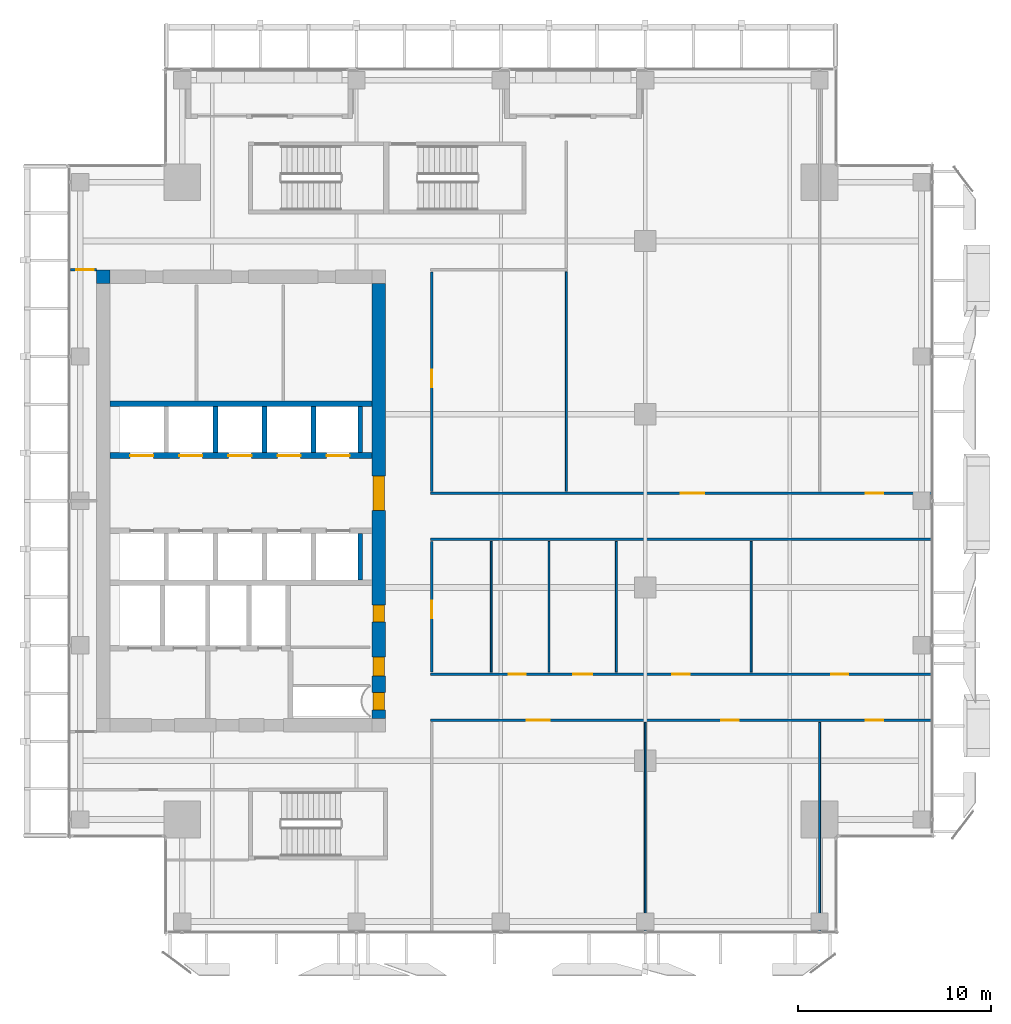
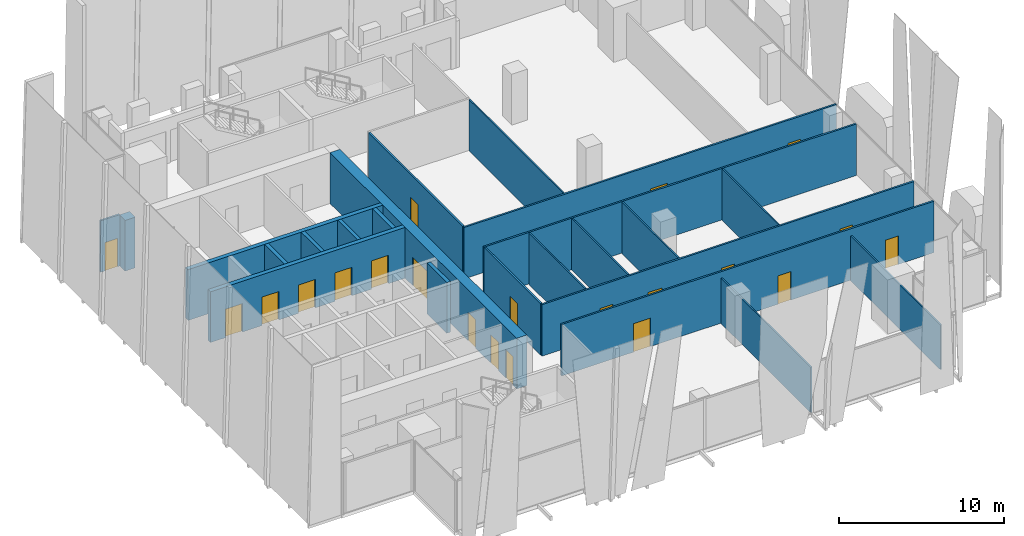
# One storey, part 27 of 33: 23 walls, 21 doors, 21 openings.
"""IFC4 building model written with IfcOpenShell, lengths in metres."""

from ifc_helpers import new_model, si_unit, direction, frame, frame_2d, origin, place, context, subcontext, project, spatial, rectangle, extrude, source, transform, mapped, material, layer, layer_set, type_object, element, fill, save


model = new_model("IFC4")

# Units and contexts
model_context = context("Model", 3, precision=1e-05, world=origin(), true_north=direction((0.0, 1.0)))
body_context = subcontext(model_context, "Body", "Model", "MODEL_VIEW")
ifc_project = project(units=[si_unit("LENGTHUNIT", "METRE"), si_unit("AREAUNIT", "SQUARE_METRE"), si_unit("VOLUMEUNIT", "CUBIC_METRE"), si_unit("PLANEANGLEUNIT", "RADIAN"), si_unit("MASSUNIT", "GRAM", prefix="KILO")], contexts=[model_context])

# Site, building, storey
site_placement = place(None, origin())
site = spatial("IfcSite", under=ifc_project, at=site_placement, CompositionType="ELEMENT")
building_placement = place(site_placement, origin())
building = spatial("IfcBuilding", under=site, at=building_placement, Name="Khomas Fold Tower", CompositionType="ELEMENT")
storey_placement = place(building_placement, frame((0.0, 0.0, 234.199951171875)))
storey = spatial("IfcBuildingStorey", under=building, at=storey_placement, Name="L52", CompositionType="ELEMENT", Elevation=234.199951171875)

# Walls
ifc_material_1 = material(Name="Concrete C50/60", Category="concrete")
ifc_layer_1 = layer(ifc_material_1, 0.25)
ifc_layer_set_1 = layer_set([ifc_layer_1], Name="Concrete C50/60")
wall_type_1 = type_object("IfcWallType", Name="Shaft wall 250", PredefinedType="STANDARD", material=ifc_layer_set_1)
shared_shape_1 = source(origin(), body_context, "Body", "SweptSolid", [
    extrude(rectangle(XDim=2.39990234375, YDim=0.25, at=frame_2d((1.199951171875, 0.0))), origin(), (0.0, 0.0, 1.0), 3.75),
])
for number, where, z_axis, x_axis, name in (
    (1, (17.27490234375, 29.5, 0.0), (0.0, 0.0, 1.0), (0.0, 1.0, 0.0), "Core wall SW-HRN-MR-P1"),
    (2, (19.699951171875, 29.5, 0.0), (0.0, 0.0, 1.0), (0.0, 1.0, 0.0), "Core wall SW-HRN-MR-PE"),
    (3, (12.175048828125, 29.5, 0.0), (0.0, 0.0, 1.0), (0.0, 1.0, 0.0), "Core wall SW-HRN-P2"),
    (4, (14.72509765625, 29.5, 0.0), (0.0, 0.0, 1.0), (0.0, 1.0, 0.0), "Core wall SW-HRN-PE"),
):
    element("IfcWall", number, at=place(storey_placement, frame(where, z_axis=z_axis, x_axis=x_axis)), inside=storey, type_object=wall_type_1, Name=name, PredefinedType="STANDARD", context=body_context, shape_type="MappedRepresentation", body=[
        mapped(shared_shape_1, transform((0.0, 0.0, 0.0))),
    ])
shared_shape_2 = source(origin(), body_context, "Body", "SweptSolid", [
    extrude(rectangle(XDim=2.400146484375, YDim=0.25, at=frame_2d((1.2001953125, 0.0))), origin(), (0.0, 0.0, 1.0), 3.75),
])
wall_1_placement = place(storey_placement, frame((19.699951171875, 22.89990234375, 0.0), z_axis=(0.0, 0.0, 1.0), x_axis=(0.0, 1.0, 0.0)))
element("IfcWall", 5, at=wall_1_placement, inside=storey, type_object=wall_type_1, Name="Core wall SW-HRS-MR-PE", PredefinedType="STANDARD", context=body_context, shape_type="MappedRepresentation", body=[
    mapped(shared_shape_2, transform((0.0, 0.0, 0.0))),
])
ifc_material_2 = material(Name="Concrete C60/75", Category="concrete")
ifc_layer_2 = layer(ifc_material_2, 0.699951171875)
ifc_layer_set_2 = layer_set([ifc_layer_2], Name="Concrete C60/75")
wall_type_2 = type_object("IfcWallType", Name="Core corner wall 700", PredefinedType="SHEAR", material=ifc_layer_set_2)
shared_shape_3 = source(origin(), body_context, "Body", "SweptSolid", [
    extrude(rectangle(XDim=0.699951171875, YDim=0.699951171875, at=frame_2d((0.35009765625, 0.0))), origin(), (0.0, 0.0, 1.0), 3.75),
])
wall_2_placement = place(storey_placement, frame((6.0, 38.64990234375, 0.0), z_axis=(0.0, 0.0, 1.0), x_axis=(1.0, 0.0, 0.0)))
element("IfcWall", 6, at=wall_2_placement, inside=storey, type_object=wall_type_2, Name="Core wall CW-U-NW-L49", PredefinedType="SHEAR", context=body_context, shape_type="MappedRepresentation", body=[
    mapped(shared_shape_3, transform((0.0, 0.0, 0.0))),
])

# Wall, openings, doors
ifc_material_3 = material(Name="Concrete C60/75", Category="concrete")
ifc_layer_3 = layer(ifc_material_3, 0.699951171875)
ifc_layer_set_3 = layer_set([ifc_layer_3], Name="Concrete C60/75")
wall_type_3 = type_object("IfcWallType", Name="Core wall 700", PredefinedType="SHEAR", material=ifc_layer_set_3)
shared_shape_4 = source(origin(), body_context, "Body", "SweptSolid", [
    extrude(rectangle(XDim=22.60009765625, YDim=0.699951171875, at=frame_2d((11.300048828125, 0.0))), origin(), (0.0, 0.0, 1.0), 3.75),
])
wall_3_placement = place(storey_placement, frame((20.64990234375, 15.699951171875, 0.0), z_axis=(0.0, 0.0, 1.0), x_axis=(0.0, 1.0, 0.0)))
wall_3 = element("IfcWall", 7, at=wall_3_placement, inside=storey, type_object=wall_type_3, Name="Core wall CW-U-E-L49", PredefinedType="SHEAR", context=body_context, shape_type="MappedRepresentation", body=[
    mapped(shared_shape_4, transform((0.0, 0.0, 0.0))),
])
shared_shape_5 = source(origin(), body_context, "Body", "SweptSolid", [
    extrude(rectangle(XDim=1.800048828125, YDim=2.10009765625, at=frame_2d((0.89990234375, 1.050048828125))), frame((0.0, 0.35986328125, 0.0), z_axis=(0.0, -1.0, 0.0), x_axis=(1.0, 0.0, 0.0)), (0.0, 0.0, 1.0), 0.719970703125),
])
opening_1_placement = place(wall_3_placement, frame((10.800048828125, 0.0, 0.0)))
opening_1 = element("IfcOpeningElement", 8, at=opening_1_placement, cuts=wall_3, Name="Opening 0015", PredefinedType="OPENING", context=body_context, shape_type="MappedRepresentation", body=[
    mapped(shared_shape_5, transform((0.0, 0.0, 0.0))),
])
shared_shape_6 = source(origin(), body_context, "Body", "SweptSolid", [
    extrude(rectangle(XDim=0.89990234375, YDim=2.10009765625, at=frame_2d((0.449951171875, 1.050048828125))), frame((0.0, 0.35986328125, 0.0), z_axis=(0.0, -1.0, 0.0), x_axis=(1.0, 0.0, 0.0)), (0.0, 0.0, 1.0), 0.719970703125),
])
opening_2_placement = place(wall_3_placement, frame((0.449951171875, 0.0, 0.0)))
opening_2 = element("IfcOpeningElement", 9, at=opening_2_placement, cuts=wall_3, Name="Opening 0003", PredefinedType="OPENING", context=body_context, shape_type="MappedRepresentation", body=[
    mapped(shared_shape_6, transform((0.0, 0.0, 0.0))),
])
shared_shape_7 = source(origin(), body_context, "Body", "SweptSolid", [
    extrude(rectangle(XDim=1.0, YDim=2.10009765625, at=frame_2d((0.5, 1.050048828125))), frame((0.0, 0.35986328125, 0.0), z_axis=(0.0, -1.0, 0.0), x_axis=(1.0, 0.0, 0.0)), (0.0, 0.0, 1.0), 0.719970703125),
])
opening_3_placement = place(wall_3_placement, frame((2.199951171875, 0.0, 0.0)))
opening_3 = element("IfcOpeningElement", 10, at=opening_3_placement, cuts=wall_3, Name="Opening 0006", PredefinedType="OPENING", context=body_context, shape_type="MappedRepresentation", body=[
    mapped(shared_shape_7, transform((0.0, 0.0, 0.0))),
])
opening_4_placement = place(wall_3_placement, frame((5.0, 0.0, 0.0)))
opening_4 = element("IfcOpeningElement", 11, at=opening_4_placement, cuts=wall_3, Name="Opening 0008", PredefinedType="OPENING", context=body_context, shape_type="MappedRepresentation", body=[
    mapped(shared_shape_6, transform((0.0, 0.0, 0.0))),
])
ifc_material_4 = material(Name="Steel door leaf", Category="steel")
door_type_1 = type_object("IfcDoorType", Name="Lobby door 1800x2100", OperationType="DOUBLE_DOOR_SINGLE_SWING", PredefinedType="DOOR", material=ifc_material_4)
shared_shape_8 = source(origin(), body_context, "Body", "SweptSolid", [
    extrude(rectangle(XDim=1.800048828125, YDim=2.10009765625, at=frame_2d((0.89990234375, 1.050048828125))), frame((0.0, 0.2998046875, 0.0), z_axis=(0.0, -1.0, 0.0), x_axis=(1.0, 0.0, 0.0)), (0.0, 0.0, 1.0), 0.599853515625),
])
door_1_placement = place(opening_1_placement, origin())
door_1 = element("IfcDoor", 12, at=door_1_placement, inside=storey, type_object=door_type_1, Name="Lobby door", OperationType="DOUBLE_DOOR_SINGLE_SWING", OverallHeight=2.10009765625, OverallWidth=1.800048828125, PredefinedType="DOOR", context=body_context, shape_type="MappedRepresentation", body=[
    mapped(shared_shape_8, transform((0.0, 0.0, 0.0))),
])
fill(opening_1, door_1)
ifc_material_5 = material(Name="Steel door leaf", Category="steel")
door_type_2 = type_object("IfcDoorType", Name="Plant room door 900x2100 right-hand", OperationType="SINGLE_SWING_RIGHT", PredefinedType="DOOR", material=ifc_material_5)
shared_shape_9 = source(origin(), body_context, "Body", "SweptSolid", [
    extrude(rectangle(XDim=0.89990234375, YDim=2.10009765625, at=frame_2d((0.449951171875, 1.050048828125))), frame((0.0, 0.2998046875, 0.0), z_axis=(0.0, -1.0, 0.0), x_axis=(1.0, 0.0, 0.0)), (0.0, 0.0, 1.0), 0.599853515625),
])
door_2_placement = place(opening_2_placement, origin())
door_2 = element("IfcDoor", 13, at=door_2_placement, inside=storey, type_object=door_type_2, Name="Plant room door", OperationType="SINGLE_SWING_RIGHT", OverallHeight=2.10009765625, OverallWidth=0.89990234375, PredefinedType="DOOR", context=body_context, shape_type="MappedRepresentation", body=[
    mapped(shared_shape_9, transform((0.0, 0.0, 0.0))),
])
fill(opening_2, door_2)
ifc_material_6 = material(Name="Timber door leaf", Category="wood")
door_type_3 = type_object("IfcDoorType", Name="Door 900x2100 right-hand", OperationType="SINGLE_SWING_RIGHT", PredefinedType="DOOR", material=ifc_material_6)
door_3_placement = place(opening_4_placement, origin())
door_3 = element("IfcDoor", 14, at=door_3_placement, inside=storey, type_object=door_type_3, Name="Door", OperationType="SINGLE_SWING_RIGHT", OverallHeight=2.10009765625, OverallWidth=0.89990234375, PredefinedType="DOOR", context=body_context, shape_type="MappedRepresentation", body=[
    mapped(shared_shape_9, transform((0.0, 0.0, 0.0))),
])
fill(opening_4, door_3)
ifc_material_7 = material(Name="Timber door leaf", Category="wood")
door_type_4 = type_object("IfcDoorType", Name="WC door 1000x2100 right-hand", OperationType="SINGLE_SWING_RIGHT", PredefinedType="DOOR", material=ifc_material_7)
shared_shape_10 = source(origin(), body_context, "Body", "SweptSolid", [
    extrude(rectangle(XDim=1.0, YDim=2.10009765625, at=frame_2d((0.5, 1.050048828125))), frame((0.0, 0.2998046875, 0.0), z_axis=(0.0, -1.0, 0.0), x_axis=(1.0, 0.0, 0.0)), (0.0, 0.0, 1.0), 0.599853515625),
])
door_4_placement = place(opening_3_placement, origin())
door_4 = element("IfcDoor", 15, at=door_4_placement, inside=storey, type_object=door_type_4, Name="WC door", OperationType="SINGLE_SWING_RIGHT", OverallHeight=2.10009765625, OverallWidth=1.0, PredefinedType="DOOR", context=body_context, shape_type="MappedRepresentation", body=[
    mapped(shared_shape_10, transform((0.0, 0.0, 0.0))),
])
fill(opening_3, door_4)

# Wall
ifc_material_8 = material(Name="Concrete C50/60", Category="concrete")
ifc_layer_4 = layer(ifc_material_8, 0.300048828125)
ifc_layer_set_4 = layer_set([ifc_layer_4], Name="Concrete C50/60")
wall_type_4 = type_object("IfcWallType", Name="Shaft wall 300", PredefinedType="STANDARD", material=ifc_layer_set_4)
shared_shape_11 = source(origin(), body_context, "Body", "SweptSolid", [
    extrude(rectangle(XDim=13.60009765625, YDim=0.300048828125, at=frame_2d((6.800048828125, 0.0))), origin(), (0.0, 0.0, 1.0), 3.75),
])
wall_4_placement = place(storey_placement, frame((6.699951171875, 32.050048828125, 0.0), z_axis=(0.0, 0.0, 1.0), x_axis=(1.0, 0.0, 0.0)))
element("IfcWall", 16, at=wall_4_placement, inside=storey, type_object=wall_type_4, Name="Core wall SW-HRN-B", PredefinedType="STANDARD", context=body_context, shape_type="MappedRepresentation", body=[
    mapped(shared_shape_11, transform((0.0, 0.0, 0.0))),
])

# Wall, openings, doors
wall_5_placement = place(storey_placement, frame((6.699951171875, 29.35009765625, 0.0), z_axis=(0.0, 0.0, 1.0), x_axis=(1.0, 0.0, 0.0)))
wall_5 = element("IfcWall", 17, at=wall_5_placement, inside=storey, type_object=wall_type_4, Name="Core wall SW-HRN-F", PredefinedType="STANDARD", context=body_context, shape_type="MappedRepresentation", body=[
    mapped(shared_shape_11, transform((0.0, 0.0, 0.0))),
])
shared_shape_12 = source(origin(), body_context, "Body", "SweptSolid", [
    extrude(rectangle(XDim=1.199951171875, YDim=2.10009765625, at=frame_2d((0.60009765625, 1.050048828125))), frame((0.0, 0.159912109375, 0.0), z_axis=(0.0, -1.0, 0.0), x_axis=(1.0, 0.0, 0.0)), (0.0, 0.0, 1.0), 0.320068359375),
])
opening_5_placement = place(wall_5_placement, frame((1.050048828125, 0.0, 0.0)))
opening_5 = element("IfcOpeningElement", 18, at=opening_5_placement, cuts=wall_5, Name="Opening LD-HR4", PredefinedType="OPENING", context=body_context, shape_type="MappedRepresentation", body=[
    mapped(shared_shape_12, transform((0.0, 0.0, 0.0))),
])
opening_6_placement = place(wall_5_placement, frame((3.60009765625, 0.0, 0.0)))
opening_6 = element("IfcOpeningElement", 19, at=opening_6_placement, cuts=wall_5, Name="Opening LD-HR5", PredefinedType="OPENING", context=body_context, shape_type="MappedRepresentation", body=[
    mapped(shared_shape_12, transform((0.0, 0.0, 0.0))),
])
opening_7_placement = place(wall_5_placement, frame((6.14990234375, 0.0, 0.0)))
opening_7 = element("IfcOpeningElement", 20, at=opening_7_placement, cuts=wall_5, Name="Opening LD-HR6", PredefinedType="OPENING", context=body_context, shape_type="MappedRepresentation", body=[
    mapped(shared_shape_12, transform((0.0, 0.0, 0.0))),
])
opening_8_placement = place(wall_5_placement, frame((8.699951171875, 0.0, 0.0)))
opening_8 = element("IfcOpeningElement", 21, at=opening_8_placement, cuts=wall_5, Name="Opening LD-MR3", PredefinedType="OPENING", context=body_context, shape_type="MappedRepresentation", body=[
    mapped(shared_shape_12, transform((0.0, 0.0, 0.0))),
])
opening_9_placement = place(wall_5_placement, frame((11.25, 0.0, 0.0)))
opening_9 = element("IfcOpeningElement", 22, at=opening_9_placement, cuts=wall_5, Name="Opening LD-MR4", PredefinedType="OPENING", context=body_context, shape_type="MappedRepresentation", body=[
    mapped(shared_shape_12, transform((0.0, 0.0, 0.0))),
])
ifc_material_9 = material(Name="Steel door leaf", Category="steel")
door_type_5 = type_object("IfcDoorType", Name="Landing door 1200x2100", OperationType="DOUBLE_DOOR_SLIDING", PredefinedType="DOOR", material=ifc_material_9)
shared_shape_13 = source(origin(), body_context, "Body", "SweptSolid", [
    extrude(rectangle(XDim=1.199951171875, YDim=2.10009765625, at=frame_2d((0.60009765625, 1.050048828125))), frame((0.0, 0.02490234375, 0.0), z_axis=(0.0, -1.0, 0.0), x_axis=(1.0, 0.0, 0.0)), (0.0, 0.0, 1.0), 0.050048828125),
])
door_5_placement = place(opening_5_placement, origin())
door_5 = element("IfcDoor", 23, at=door_5_placement, inside=storey, type_object=door_type_5, Name="Lift landing door", OperationType="DOUBLE_DOOR_SLIDING", OverallHeight=2.10009765625, OverallWidth=1.199951171875, PredefinedType="DOOR", context=body_context, shape_type="MappedRepresentation", body=[
    mapped(shared_shape_13, transform((0.0, 0.0, 0.0))),
])
fill(opening_5, door_5)
door_6_placement = place(opening_6_placement, origin())
door_6 = element("IfcDoor", 24, at=door_6_placement, inside=storey, type_object=door_type_5, Name="Lift landing door", OperationType="DOUBLE_DOOR_SLIDING", OverallHeight=2.10009765625, OverallWidth=1.199951171875, PredefinedType="DOOR", context=body_context, shape_type="MappedRepresentation", body=[
    mapped(shared_shape_13, transform((0.0, 0.0, 0.0))),
])
fill(opening_6, door_6)
door_7_placement = place(opening_7_placement, origin())
door_7 = element("IfcDoor", 25, at=door_7_placement, inside=storey, type_object=door_type_5, Name="Lift landing door", OperationType="DOUBLE_DOOR_SLIDING", OverallHeight=2.10009765625, OverallWidth=1.199951171875, PredefinedType="DOOR", context=body_context, shape_type="MappedRepresentation", body=[
    mapped(shared_shape_13, transform((0.0, 0.0, 0.0))),
])
fill(opening_7, door_7)
door_8_placement = place(opening_8_placement, origin())
door_8 = element("IfcDoor", 26, at=door_8_placement, inside=storey, type_object=door_type_5, Name="Lift landing door", OperationType="DOUBLE_DOOR_SLIDING", OverallHeight=2.10009765625, OverallWidth=1.199951171875, PredefinedType="DOOR", context=body_context, shape_type="MappedRepresentation", body=[
    mapped(shared_shape_13, transform((0.0, 0.0, 0.0))),
])
fill(opening_8, door_8)
door_9_placement = place(opening_9_placement, origin())
door_9 = element("IfcDoor", 27, at=door_9_placement, inside=storey, type_object=door_type_5, Name="Lift landing door", OperationType="DOUBLE_DOOR_SLIDING", OverallHeight=2.10009765625, OverallWidth=1.199951171875, PredefinedType="DOOR", context=body_context, shape_type="MappedRepresentation", body=[
    mapped(shared_shape_13, transform((0.0, 0.0, 0.0))),
])
fill(opening_9, door_9)

# Walls
ifc_material_10 = material(Name="Plasterboard partition")
ifc_layer_5 = layer(ifc_material_10, 0.10009765625)
ifc_layer_set_5 = layer_set([ifc_layer_5], Name="Plasterboard partition")
wall_type_5 = type_object("IfcWallType", Name="Partition PW1 100", PredefinedType="PARTITIONING", material=ifc_layer_set_5)
shared_shape_14 = source(origin(), body_context, "Body", "SweptSolid", [
    extrude(rectangle(XDim=10.85009765625, YDim=0.10009765625, at=frame_2d((5.425048828125, 0.0))), origin(), (0.0, 0.0, 1.0), 3.35009765625),
])
wall_6_placement = place(storey_placement, frame((34.5, 4.64990234375, 0.0), z_axis=(0.0, 0.0, 1.0), x_axis=(0.0, 1.0, 0.0)))
element("IfcWall", 28, at=wall_6_placement, inside=storey, type_object=wall_type_5, Name="Partition", PredefinedType="PARTITIONING", context=body_context, shape_type="MappedRepresentation", body=[
    mapped(shared_shape_14, transform((0.0, 0.0, 0.0))),
])
shared_shape_15 = source(origin(), body_context, "Body", "SweptSolid", [
    extrude(rectangle(XDim=10.85009765625, YDim=0.10009765625, at=frame_2d((5.425048828125, 0.0))), origin(), (0.0, 0.0, 1.0), 3.300048828125),
])
wall_7_placement = place(storey_placement, frame((43.550048828125, 4.64990234375, 0.0), z_axis=(0.0, 0.0, 1.0), x_axis=(0.0, 1.0, 0.0)))
element("IfcWall", 29, at=wall_7_placement, inside=storey, type_object=wall_type_5, Name="Partition", PredefinedType="PARTITIONING", context=body_context, shape_type="MappedRepresentation", body=[
    mapped(shared_shape_15, transform((0.0, 0.0, 0.0))),
])

# Wall, opening, door
ifc_material_11 = material(Name="Plasterboard partition")
ifc_layer_6 = layer(ifc_material_11, 0.125)
ifc_layer_set_6 = layer_set([ifc_layer_6], Name="Plasterboard partition")
wall_type_6 = type_object("IfcWallType", Name="Partition PW2 125", PredefinedType="PARTITIONING", material=ifc_layer_set_6)
shared_shape_16 = source(origin(), body_context, "Body", "SweptSolid", [
    extrude(rectangle(XDim=1.35009765625, YDim=0.125, at=frame_2d((0.675048828125, 0.0))), origin(), (0.0, 0.0, 1.0), 3.800048828125),
])
wall_8_placement = place(storey_placement, frame((4.64990234375, 39.0, 0.0), z_axis=(0.0, 0.0, 1.0), x_axis=(1.0, 0.0, 0.0)))
wall_8 = element("IfcWall", 30, at=wall_8_placement, inside=storey, type_object=wall_type_6, Name="Partition", PredefinedType="PARTITIONING", context=body_context, shape_type="MappedRepresentation", body=[
    mapped(shared_shape_16, transform((0.0, 0.0, 0.0))),
])
shared_shape_17 = source(origin(), body_context, "Body", "SweptSolid", [
    extrude(rectangle(XDim=0.89990234375, YDim=2.10009765625, at=frame_2d((0.449951171875, 1.050048828125))), frame((0.0, 0.072509765625, 0.0), z_axis=(0.0, -1.0, 0.0), x_axis=(1.0, 0.0, 0.0)), (0.0, 0.0, 1.0), 0.14501953125),
])
opening_10_placement = place(wall_8_placement, frame((0.300048828125, 0.0, 0.0)))
opening_10 = element("IfcOpeningElement", 31, at=opening_10_placement, cuts=wall_8, Name="Opening 0008", PredefinedType="OPENING", context=body_context, shape_type="MappedRepresentation", body=[
    mapped(shared_shape_17, transform((0.0, 0.0, 0.0))),
])
shared_shape_18 = source(origin(), body_context, "Body", "SweptSolid", [
    extrude(rectangle(XDim=0.89990234375, YDim=2.10009765625, at=frame_2d((0.449951171875, 1.050048828125))), frame((0.0, 0.02490234375, 0.0), z_axis=(0.0, -1.0, 0.0), x_axis=(1.0, 0.0, 0.0)), (0.0, 0.0, 1.0), 0.050048828125),
])
door_10_placement = place(opening_10_placement, origin())
door_10 = element("IfcDoor", 32, at=door_10_placement, inside=storey, type_object=door_type_3, Name="Door", OperationType="SINGLE_SWING_RIGHT", OverallHeight=2.10009765625, OverallWidth=0.89990234375, PredefinedType="DOOR", context=body_context, shape_type="MappedRepresentation", body=[
    mapped(shared_shape_18, transform((0.0, 0.0, 0.0))),
])
fill(opening_10, door_10)

# Wall, openings, doors
shared_shape_19 = source(origin(), body_context, "Body", "SweptSolid", [
    extrude(rectangle(XDim=26.0, YDim=0.125, at=frame_2d((13.0, 0.0))), origin(), (0.0, 0.0, 1.0), 3.800048828125),
])
wall_9_placement = place(storey_placement, frame((23.35009765625, 15.60009765625, 0.0), z_axis=(0.0, 0.0, 1.0), x_axis=(1.0, 0.0, 0.0)))
wall_9 = element("IfcWall", 33, at=wall_9_placement, inside=storey, type_object=wall_type_6, Name="Partition", PredefinedType="PARTITIONING", context=body_context, shape_type="MappedRepresentation", body=[
    mapped(shared_shape_19, transform((0.0, 0.0, 0.0))),
])
shared_shape_20 = source(origin(), body_context, "Body", "SweptSolid", [
    extrude(rectangle(XDim=1.199951171875, YDim=2.10009765625, at=frame_2d((0.60009765625, 1.050048828125))), frame((0.0, 0.072509765625, 0.0), z_axis=(0.0, -1.0, 0.0), x_axis=(1.0, 0.0, 0.0)), (0.0, 0.0, 1.0), 0.14501953125),
])
opening_11_placement = place(wall_9_placement, frame((5.0, 0.0, 0.0)))
opening_11 = element("IfcOpeningElement", 34, at=opening_11_placement, cuts=wall_9, Name="Opening 0001", PredefinedType="OPENING", context=body_context, shape_type="MappedRepresentation", body=[
    mapped(shared_shape_20, transform((0.0, 0.0, 0.0))),
])
opening_12_placement = place(wall_9_placement, frame((15.10009765625, 0.0, 0.0)))
opening_12 = element("IfcOpeningElement", 35, at=opening_12_placement, cuts=wall_9, Name="Opening 0007", PredefinedType="OPENING", context=body_context, shape_type="MappedRepresentation", body=[
    mapped(shared_shape_17, transform((0.0, 0.0, 0.0))),
])
opening_13_placement = place(wall_9_placement, frame((22.60009765625, 0.0, 0.0)))
opening_13 = element("IfcOpeningElement", 36, at=opening_13_placement, cuts=wall_9, Name="Opening 0007", PredefinedType="OPENING", context=body_context, shape_type="MappedRepresentation", body=[
    mapped(shared_shape_17, transform((0.0, 0.0, 0.0))),
])
ifc_material_12 = material(Name="Timber door leaf", Category="wood")
door_type_6 = type_object("IfcDoorType", Name="Door 900x2100 left-hand", OperationType="SINGLE_SWING_LEFT", PredefinedType="DOOR", material=ifc_material_12)
door_11_placement = place(opening_12_placement, origin())
door_11 = element("IfcDoor", 37, at=door_11_placement, inside=storey, type_object=door_type_6, Name="Door", OperationType="SINGLE_SWING_LEFT", OverallHeight=2.10009765625, OverallWidth=0.89990234375, PredefinedType="DOOR", context=body_context, shape_type="MappedRepresentation", body=[
    mapped(shared_shape_18, transform((0.0, 0.0, 0.0))),
])
fill(opening_12, door_11)
door_12_placement = place(opening_13_placement, origin())
door_12 = element("IfcDoor", 38, at=door_12_placement, inside=storey, type_object=door_type_6, Name="Door", OperationType="SINGLE_SWING_LEFT", OverallHeight=2.10009765625, OverallWidth=0.89990234375, PredefinedType="DOOR", context=body_context, shape_type="MappedRepresentation", body=[
    mapped(shared_shape_18, transform((0.0, 0.0, 0.0))),
])
fill(opening_13, door_12)
ifc_material_13 = material(Name="Timber door leaf", Category="wood")
door_type_7 = type_object("IfcDoorType", Name="Door 1200x2100 right-hand", OperationType="SINGLE_SWING_RIGHT", PredefinedType="DOOR", material=ifc_material_13)
door_13_placement = place(opening_11_placement, origin())
door_13 = element("IfcDoor", 39, at=door_13_placement, inside=storey, type_object=door_type_7, Name="Door", OperationType="SINGLE_SWING_RIGHT", OverallHeight=2.10009765625, OverallWidth=1.199951171875, PredefinedType="DOOR", context=body_context, shape_type="MappedRepresentation", body=[
    mapped(shared_shape_13, transform((0.0, 0.0, 0.0))),
])
fill(opening_11, door_13)

wall_10_placement = place(storey_placement, frame((23.35009765625, 18.0, 0.0), z_axis=(0.0, 0.0, 1.0), x_axis=(1.0, 0.0, 0.0)))
wall_10 = element("IfcWall", 40, at=wall_10_placement, inside=storey, type_object=wall_type_6, Name="Partition", PredefinedType="PARTITIONING", context=body_context, shape_type="MappedRepresentation", body=[
    mapped(shared_shape_19, transform((0.0, 0.0, 0.0))),
])
opening_14_placement = place(wall_10_placement, frame((4.050048828125, 0.0, 0.0)))
opening_14 = element("IfcOpeningElement", 41, at=opening_14_placement, cuts=wall_10, Name="Opening 0004", PredefinedType="OPENING", context=body_context, shape_type="MappedRepresentation", body=[
    mapped(shared_shape_17, transform((0.0, 0.0, 0.0))),
])
shared_shape_21 = source(origin(), body_context, "Body", "SweptSolid", [
    extrude(rectangle(XDim=1.0, YDim=2.10009765625, at=frame_2d((0.5, 1.050048828125))), frame((0.0, 0.072509765625, 0.0), z_axis=(0.0, -1.0, 0.0), x_axis=(1.0, 0.0, 0.0)), (0.0, 0.0, 1.0), 0.14501953125),
])
opening_15_placement = place(wall_10_placement, frame((7.39990234375, 0.0, 0.0)))
opening_15 = element("IfcOpeningElement", 42, at=opening_15_placement, cuts=wall_10, Name="Opening 0006", PredefinedType="OPENING", context=body_context, shape_type="MappedRepresentation", body=[
    mapped(shared_shape_21, transform((0.0, 0.0, 0.0))),
])
opening_16_placement = place(wall_10_placement, frame((12.550048828125, 0.0, 0.0)))
opening_16 = element("IfcOpeningElement", 43, at=opening_16_placement, cuts=wall_10, Name="Opening 0008", PredefinedType="OPENING", context=body_context, shape_type="MappedRepresentation", body=[
    mapped(shared_shape_17, transform((0.0, 0.0, 0.0))),
])
opening_17_placement = place(wall_10_placement, frame((20.800048828125, 0.0, 0.0)))
opening_17 = element("IfcOpeningElement", 44, at=opening_17_placement, cuts=wall_10, Name="Opening 0008", PredefinedType="OPENING", context=body_context, shape_type="MappedRepresentation", body=[
    mapped(shared_shape_17, transform((0.0, 0.0, 0.0))),
])
ifc_material_14 = material(Name="Timber door leaf", Category="wood")
door_type_8 = type_object("IfcDoorType", Name="WC door 900x2100 right-hand", OperationType="SINGLE_SWING_RIGHT", PredefinedType="DOOR", material=ifc_material_14)
door_14_placement = place(opening_14_placement, origin())
door_14 = element("IfcDoor", 45, at=door_14_placement, inside=storey, type_object=door_type_8, Name="WC door", OperationType="SINGLE_SWING_RIGHT", OverallHeight=2.10009765625, OverallWidth=0.89990234375, PredefinedType="DOOR", context=body_context, shape_type="MappedRepresentation", body=[
    mapped(shared_shape_18, transform((0.0, 0.0, 0.0))),
])
fill(opening_14, door_14)
door_15_placement = place(opening_16_placement, origin())
door_15 = element("IfcDoor", 46, at=door_15_placement, inside=storey, type_object=door_type_3, Name="Door", OperationType="SINGLE_SWING_RIGHT", OverallHeight=2.10009765625, OverallWidth=0.89990234375, PredefinedType="DOOR", context=body_context, shape_type="MappedRepresentation", body=[
    mapped(shared_shape_18, transform((0.0, 0.0, 0.0))),
])
fill(opening_16, door_15)
door_16_placement = place(opening_17_placement, origin())
door_16 = element("IfcDoor", 47, at=door_16_placement, inside=storey, type_object=door_type_3, Name="Door", OperationType="SINGLE_SWING_RIGHT", OverallHeight=2.10009765625, OverallWidth=0.89990234375, PredefinedType="DOOR", context=body_context, shape_type="MappedRepresentation", body=[
    mapped(shared_shape_18, transform((0.0, 0.0, 0.0))),
])
fill(opening_17, door_16)
shared_shape_22 = source(origin(), body_context, "Body", "SweptSolid", [
    extrude(rectangle(XDim=1.0, YDim=2.10009765625, at=frame_2d((0.5, 1.050048828125))), frame((0.0, 0.02490234375, 0.0), z_axis=(0.0, -1.0, 0.0), x_axis=(1.0, 0.0, 0.0)), (0.0, 0.0, 1.0), 0.050048828125),
])
door_17_placement = place(opening_15_placement, origin())
door_17 = element("IfcDoor", 48, at=door_17_placement, inside=storey, type_object=door_type_4, Name="WC door", OperationType="SINGLE_SWING_RIGHT", OverallHeight=2.10009765625, OverallWidth=1.0, PredefinedType="DOOR", context=body_context, shape_type="MappedRepresentation", body=[
    mapped(shared_shape_22, transform((0.0, 0.0, 0.0))),
])
fill(opening_15, door_17)

# Wall
wall_11_placement = place(storey_placement, frame((23.35009765625, 25.0, 0.0), z_axis=(0.0, 0.0, 1.0), x_axis=(1.0, 0.0, 0.0)))
element("IfcWall", 49, at=wall_11_placement, inside=storey, type_object=wall_type_6, Name="Partition", PredefinedType="PARTITIONING", context=body_context, shape_type="MappedRepresentation", body=[
    mapped(shared_shape_19, transform((0.0, 0.0, 0.0))),
])

# Wall, openings, doors
wall_12_placement = place(storey_placement, frame((23.35009765625, 27.39990234375, 0.0), z_axis=(0.0, 0.0, 1.0), x_axis=(1.0, 0.0, 0.0)))
wall_12 = element("IfcWall", 50, at=wall_12_placement, inside=storey, type_object=wall_type_6, Name="Partition", PredefinedType="PARTITIONING", context=body_context, shape_type="MappedRepresentation", body=[
    mapped(shared_shape_19, transform((0.0, 0.0, 0.0))),
])
opening_18_placement = place(wall_12_placement, frame((13.0, 0.0, 0.0)))
opening_18 = element("IfcOpeningElement", 51, at=opening_18_placement, cuts=wall_12, Name="Opening 0001", PredefinedType="OPENING", context=body_context, shape_type="MappedRepresentation", body=[
    mapped(shared_shape_20, transform((0.0, 0.0, 0.0))),
])
opening_19_placement = place(wall_12_placement, frame((22.60009765625, 0.0, 0.0)))
opening_19 = element("IfcOpeningElement", 52, at=opening_19_placement, cuts=wall_12, Name="Opening 0008", PredefinedType="OPENING", context=body_context, shape_type="MappedRepresentation", body=[
    mapped(shared_shape_17, transform((0.0, 0.0, 0.0))),
])
door_18_placement = place(opening_19_placement, origin())
door_18 = element("IfcDoor", 53, at=door_18_placement, inside=storey, type_object=door_type_3, Name="Door", OperationType="SINGLE_SWING_RIGHT", OverallHeight=2.10009765625, OverallWidth=0.89990234375, PredefinedType="DOOR", context=body_context, shape_type="MappedRepresentation", body=[
    mapped(shared_shape_18, transform((0.0, 0.0, 0.0))),
])
fill(opening_19, door_18)
door_19_placement = place(opening_18_placement, origin())
door_19 = element("IfcDoor", 54, at=door_19_placement, inside=storey, type_object=door_type_7, Name="Door", OperationType="SINGLE_SWING_RIGHT", OverallHeight=2.10009765625, OverallWidth=1.199951171875, PredefinedType="DOOR", context=body_context, shape_type="MappedRepresentation", body=[
    mapped(shared_shape_13, transform((0.0, 0.0, 0.0))),
])
fill(opening_18, door_19)

# Wall, opening, door
shared_shape_23 = source(origin(), body_context, "Body", "SweptSolid", [
    extrude(rectangle(XDim=6.7998046875, YDim=0.125, at=frame_2d((3.39990234375, 0.0))), origin(), (0.0, 0.0, 1.0), 3.800048828125),
])
wall_13_placement = place(storey_placement, frame((23.39990234375, 18.10009765625, 0.0), z_axis=(0.0, 0.0, 1.0), x_axis=(0.0, 1.0, 0.0)))
wall_13 = element("IfcWall", 55, at=wall_13_placement, inside=storey, type_object=wall_type_6, Name="Partition", PredefinedType="PARTITIONING", context=body_context, shape_type="MappedRepresentation", body=[
    mapped(shared_shape_23, transform((0.0, 0.0, 0.0))),
])
opening_20_placement = place(wall_13_placement, frame((2.800048828125, 0.0, 0.0)))
opening_20 = element("IfcOpeningElement", 56, at=opening_20_placement, cuts=wall_13, Name="Opening 0005", PredefinedType="OPENING", context=body_context, shape_type="MappedRepresentation", body=[
    mapped(shared_shape_17, transform((0.0, 0.0, 0.0))),
])
ifc_material_15 = material(Name="Timber door leaf", Category="wood")
door_type_9 = type_object("IfcDoorType", Name="WC door 900x2100 left-hand", OperationType="SINGLE_SWING_LEFT", PredefinedType="DOOR", material=ifc_material_15)
door_20_placement = place(opening_20_placement, origin())
door_20 = element("IfcDoor", 57, at=door_20_placement, inside=storey, type_object=door_type_9, Name="WC door", OperationType="SINGLE_SWING_LEFT", OverallHeight=2.10009765625, OverallWidth=0.89990234375, PredefinedType="DOOR", context=body_context, shape_type="MappedRepresentation", body=[
    mapped(shared_shape_18, transform((0.0, 0.0, 0.0))),
])
fill(opening_20, door_20)

# Walls
shared_shape_24 = source(origin(), body_context, "Body", "SweptSolid", [
    extrude(rectangle(XDim=6.7998046875, YDim=0.10009765625, at=frame_2d((3.39990234375, 0.0))), origin(), (0.0, 0.0, 1.0), 3.800048828125),
])
for number, where, z_axis, x_axis, name in (
    (58, (26.5, 18.10009765625, 0.0), (0.0, 0.0, 1.0), (0.0, 1.0, 0.0), "Partition"),
    (59, (29.5, 18.10009765625, 0.0), (0.0, 0.0, 1.0), (0.0, 1.0, 0.0), "Partition"),
    (60, (33.0, 18.10009765625, 0.0), (0.0, 0.0, 1.0), (0.0, 1.0, 0.0), "Partition"),
    (61, (40.0, 18.10009765625, 0.0), (0.0, 0.0, 1.0), (0.0, 1.0, 0.0), "Partition"),
):
    element("IfcWall", number, at=place(storey_placement, frame(where, z_axis=z_axis, x_axis=x_axis)), inside=storey, type_object=wall_type_5, Name=name, PredefinedType="PARTITIONING", context=body_context, shape_type="MappedRepresentation", body=[
        mapped(shared_shape_24, transform((0.0, 0.0, 0.0))),
    ])

# Wall, opening, door
shared_shape_25 = source(origin(), body_context, "Body", "SweptSolid", [
    extrude(rectangle(XDim=11.39990234375, YDim=0.125, at=frame_2d((5.699951171875, 0.0))), origin(), (0.0, 0.0, 1.0), 3.800048828125),
])
wall_14_placement = place(storey_placement, frame((23.39990234375, 27.5, 0.0), z_axis=(0.0, 0.0, 1.0), x_axis=(0.0, 1.0, 0.0)))
wall_14 = element("IfcWall", 62, at=wall_14_placement, inside=storey, type_object=wall_type_6, Name="Partition", PredefinedType="PARTITIONING", context=body_context, shape_type="MappedRepresentation", body=[
    mapped(shared_shape_25, transform((0.0, 0.0, 0.0))),
])
opening_21_placement = place(wall_14_placement, frame((5.39990234375, 0.0, 0.0)))
opening_21 = element("IfcOpeningElement", 63, at=opening_21_placement, cuts=wall_14, Name="Opening 0008", PredefinedType="OPENING", context=body_context, shape_type="MappedRepresentation", body=[
    mapped(shared_shape_17, transform((0.0, 0.0, 0.0))),
])
door_21_placement = place(opening_21_placement, origin())
door_21 = element("IfcDoor", 64, at=door_21_placement, inside=storey, type_object=door_type_3, Name="Door", OperationType="SINGLE_SWING_RIGHT", OverallHeight=2.10009765625, OverallWidth=0.89990234375, PredefinedType="DOOR", context=body_context, shape_type="MappedRepresentation", body=[
    mapped(shared_shape_18, transform((0.0, 0.0, 0.0))),
])
fill(opening_21, door_21)

# Wall
shared_shape_26 = source(origin(), body_context, "Body", "SweptSolid", [
    extrude(rectangle(XDim=11.39990234375, YDim=0.10009765625, at=frame_2d((5.699951171875, 0.0))), origin(), (0.0, 0.0, 1.0), 3.800048828125),
])
wall_15_placement = place(storey_placement, frame((30.39990234375, 27.5, 0.0), z_axis=(0.0, 0.0, 1.0), x_axis=(0.0, 1.0, 0.0)))
element("IfcWall", 65, at=wall_15_placement, inside=storey, type_object=wall_type_5, Name="Partition", PredefinedType="PARTITIONING", context=body_context, shape_type="MappedRepresentation", body=[
    mapped(shared_shape_26, transform((0.0, 0.0, 0.0))),
])

save(model, "model.ifc")
